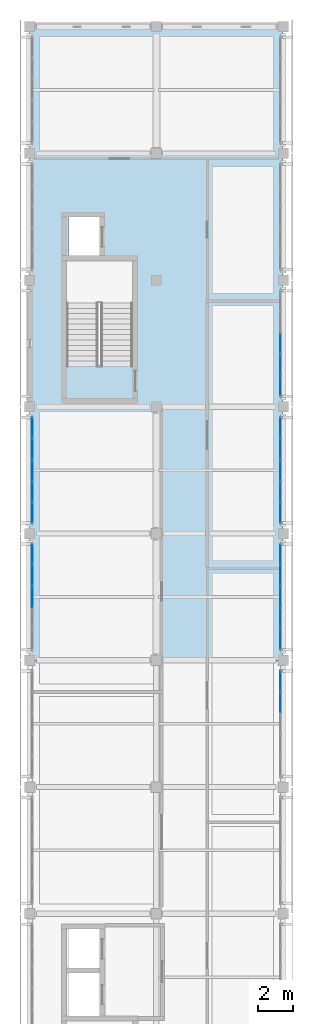
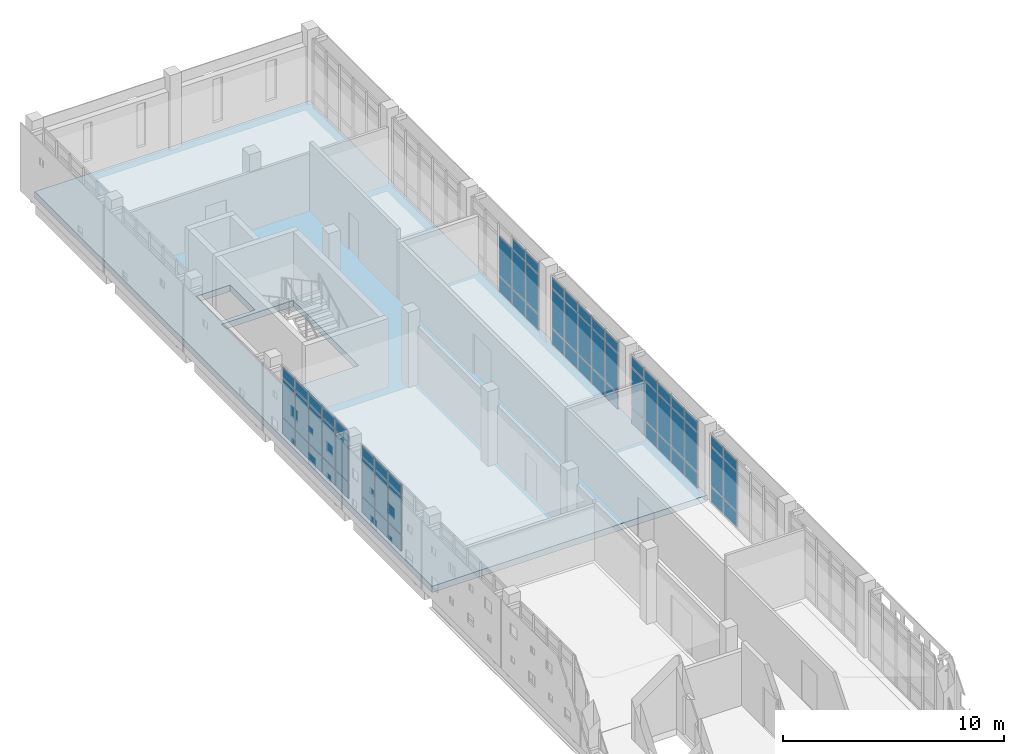
# One storey, part 13 of 21: 68 plates, 1 slab, 6 elements without a shape of their own.
"""IFC4 building model written with IfcOpenShell, lengths in metres."""

from ifc_helpers import new_model, si_unit, direction, frame, origin, origin_2d, place, context, subcontext, project, spatial, polyline, rectangle, outline, extrude, material, layer, layer_set, type_object, element, aggregate, save


model = new_model("IFC4")

# Units and contexts
model_context = context("Model", 3, precision=1e-05, world=origin(), true_north=direction((0.0, 1.0)))
body_context = subcontext(model_context, "Body", "Model", "MODEL_VIEW")
ifc_project = project(units=[si_unit("LENGTHUNIT", "METRE"), si_unit("AREAUNIT", "SQUARE_METRE"), si_unit("VOLUMEUNIT", "CUBIC_METRE"), si_unit("PLANEANGLEUNIT", "RADIAN"), si_unit("MASSUNIT", "GRAM", prefix="KILO")], contexts=[model_context])

# Site, building, storey
site_placement = place(None, origin())
site = spatial("IfcSite", under=ifc_project, at=site_placement, CompositionType="ELEMENT")
building_placement = place(site_placement, origin())
building = spatial("IfcBuilding", under=site, at=building_placement, Name="Valkovuoma Quantum and Materials Research Institute", CompositionType="ELEMENT")
storey_placement = place(building_placement, frame((0.0, 0.0, 29.760009765625)))
storey = spatial("IfcBuildingStorey", under=building, at=storey_placement, Name="L07", CompositionType="ELEMENT", Elevation=29.760009765625)

# Curtain wall, plates
ifc_material_1 = material(Name="Thermally broken aluminium and triple low-E glazing", Category="aluminium")
ifc_layer_1 = layer(ifc_material_1, 0.219970703125)
ifc_layer_set_1 = layer_set([ifc_layer_1], Name="Thermally broken aluminium and triple low-E glazing")
curtain_wall_type = type_object("IfcCurtainWallType", Name="CW-CW-01", PredefinedType="NOTDEFINED", material=ifc_layer_set_1)
curtain_wall_1_placement = place(storey_placement, origin())
curtain_wall_1 = element("IfcCurtainWall", 1, at=curtain_wall_1_placement, inside=storey, type_object=curtain_wall_type, Name="L07 curtain wall 100", PredefinedType="NOTDEFINED")
ifc_material_2 = material(Name="Triple low-E argon insulating glass", Category="glass")
ifc_layer_2 = layer(ifc_material_2, 0.035888671875)
ifc_layer_set_2 = layer_set([ifc_layer_2], Name="Triple low-E argon insulating glass")
plate_type_1 = type_object("IfcPlateType", Name="CWPanel-CWP-01", PredefinedType="CURTAIN_PANEL", material=ifc_layer_set_2)
plate_1_placement = place(storey_placement, frame((0.14990234375, 61.199951171875, 0.06494140625), z_axis=(0.0, 0.0, 1.0), x_axis=(0.0, 1.0, 0.0)))
plate_1 = element("IfcPlate", 2, at=plate_1_placement, type_object=plate_type_1, Name="CW-01 panel 3.1", PredefinedType="CURTAIN_PANEL", context=body_context, shape_type="SweptSolid", body=[
    extrude(rectangle(XDim=1.152099609375, YDim=0.035888671875, at=origin_2d()), origin(), (0.0, 0.0, 1.0), 0.8525390625),
])
plate_2_placement = place(storey_placement, frame((0.14990234375, 61.199951171875, 0.982421875), z_axis=(0.0, 0.0, 1.0), x_axis=(0.0, 1.0, 0.0)))
plate_2 = element("IfcPlate", 3, at=plate_2_placement, type_object=plate_type_1, Name="CW-01 panel 3.2", PredefinedType="CURTAIN_PANEL", context=body_context, shape_type="SweptSolid", body=[
    extrude(rectangle(XDim=1.152099609375, YDim=0.035888671875, at=origin_2d()), origin(), (0.0, 0.0, 1.0), 2.14501953125),
])
plate_3_placement = place(storey_placement, frame((0.14990234375, 61.199951171875, 3.1923828125), z_axis=(0.0, 0.0, 1.0), x_axis=(0.0, 1.0, 0.0)))
plate_3 = element("IfcPlate", 4, at=plate_3_placement, type_object=plate_type_1, Name="CW-01 panel 3.3", PredefinedType="CURTAIN_PANEL", context=body_context, shape_type="SweptSolid", body=[
    extrude(rectangle(XDim=1.152099609375, YDim=0.035888671875, at=origin_2d()), origin(), (0.0, 0.0, 1.0), 0.552490234375),
])
plate_4_placement = place(storey_placement, frame((0.14990234375, 62.417236328125, 0.06494140625), z_axis=(0.0, 0.0, 1.0), x_axis=(0.0, 1.0, 0.0)))
plate_4 = element("IfcPlate", 5, at=plate_4_placement, type_object=plate_type_1, Name="CW-01 panel 4.1", PredefinedType="CURTAIN_PANEL", context=body_context, shape_type="SweptSolid", body=[
    extrude(rectangle(XDim=1.152099609375, YDim=0.035888671875, at=origin_2d()), origin(), (0.0, 0.0, 1.0), 0.8525390625),
])
plate_5_placement = place(storey_placement, frame((0.14990234375, 62.417236328125, 0.982421875), z_axis=(0.0, 0.0, 1.0), x_axis=(0.0, 1.0, 0.0)))
plate_5 = element("IfcPlate", 6, at=plate_5_placement, type_object=plate_type_1, Name="CW-01 panel 4.2", PredefinedType="CURTAIN_PANEL", context=body_context, shape_type="SweptSolid", body=[
    extrude(rectangle(XDim=1.152099609375, YDim=0.035888671875, at=origin_2d()), origin(), (0.0, 0.0, 1.0), 2.14501953125),
])
plate_6_placement = place(storey_placement, frame((0.14990234375, 62.417236328125, 3.1923828125), z_axis=(0.0, 0.0, 1.0), x_axis=(0.0, 1.0, 0.0)))
plate_6 = element("IfcPlate", 7, at=plate_6_placement, type_object=plate_type_1, Name="CW-01 panel 4.3", PredefinedType="CURTAIN_PANEL", context=body_context, shape_type="SweptSolid", body=[
    extrude(rectangle(XDim=1.152099609375, YDim=0.035888671875, at=origin_2d()), origin(), (0.0, 0.0, 1.0), 0.552490234375),
])
plate_7_placement = place(storey_placement, frame((0.14990234375, 63.6181640625, 0.06494140625), z_axis=(0.0, 0.0, 1.0), x_axis=(0.0, 1.0, 0.0)))
plate_7 = element("IfcPlate", 8, at=plate_7_placement, type_object=plate_type_1, Name="CW-01 panel 5.1", PredefinedType="CURTAIN_PANEL", context=body_context, shape_type="SweptSolid", body=[
    extrude(rectangle(XDim=1.11962890625, YDim=0.035888671875, at=origin_2d()), origin(), (0.0, 0.0, 1.0), 0.8525390625),
])
plate_8_placement = place(storey_placement, frame((0.14990234375, 63.6181640625, 0.982421875), z_axis=(0.0, 0.0, 1.0), x_axis=(0.0, 1.0, 0.0)))
plate_8 = element("IfcPlate", 9, at=plate_8_placement, type_object=plate_type_1, Name="CW-01 panel 5.2", PredefinedType="CURTAIN_PANEL", context=body_context, shape_type="SweptSolid", body=[
    extrude(rectangle(XDim=1.11962890625, YDim=0.035888671875, at=origin_2d()), origin(), (0.0, 0.0, 1.0), 2.14501953125),
])
plate_9_placement = place(storey_placement, frame((0.14990234375, 63.6181640625, 3.1923828125), z_axis=(0.0, 0.0, 1.0), x_axis=(0.0, 1.0, 0.0)))
plate_9 = element("IfcPlate", 10, at=plate_9_placement, type_object=plate_type_1, Name="CW-01 panel 5.3", PredefinedType="CURTAIN_PANEL", context=body_context, shape_type="SweptSolid", body=[
    extrude(rectangle(XDim=1.11962890625, YDim=0.035888671875, at=origin_2d()), origin(), (0.0, 0.0, 1.0), 0.552490234375),
])
aggregate(curtain_wall_1, [plate_1, plate_2, plate_3, plate_4, plate_5, plate_6, plate_7, plate_8, plate_9])

curtain_wall_2_placement = place(storey_placement, origin())
curtain_wall_2 = element("IfcCurtainWall", 11, at=curtain_wall_2_placement, inside=storey, type_object=curtain_wall_type, Name="L07 curtain wall 102", PredefinedType="NOTDEFINED")
plate_10_placement = place(storey_placement, frame((0.14990234375, 65.98193359375, 0.06494140625), z_axis=(0.0, 0.0, 1.0), x_axis=(0.0, 1.0, 0.0)))
plate_10 = element("IfcPlate", 12, at=plate_10_placement, type_object=plate_type_1, Name="CW-01 panel 1.1", PredefinedType="CURTAIN_PANEL", context=body_context, shape_type="SweptSolid", body=[
    extrude(rectangle(XDim=1.11962890625, YDim=0.035888671875, at=origin_2d()), origin(), (0.0, 0.0, 1.0), 0.8525390625),
])
plate_11_placement = place(storey_placement, frame((0.14990234375, 65.98193359375, 0.982421875), z_axis=(0.0, 0.0, 1.0), x_axis=(0.0, 1.0, 0.0)))
plate_11 = element("IfcPlate", 13, at=plate_11_placement, type_object=plate_type_1, Name="CW-01 panel 1.2", PredefinedType="CURTAIN_PANEL", context=body_context, shape_type="SweptSolid", body=[
    extrude(rectangle(XDim=1.11962890625, YDim=0.035888671875, at=origin_2d()), origin(), (0.0, 0.0, 1.0), 2.14501953125),
])
plate_12_placement = place(storey_placement, frame((0.14990234375, 65.98193359375, 3.1923828125), z_axis=(0.0, 0.0, 1.0), x_axis=(0.0, 1.0, 0.0)))
plate_12 = element("IfcPlate", 14, at=plate_12_placement, type_object=plate_type_1, Name="CW-01 panel 1.3", PredefinedType="CURTAIN_PANEL", context=body_context, shape_type="SweptSolid", body=[
    extrude(rectangle(XDim=1.11962890625, YDim=0.035888671875, at=origin_2d()), origin(), (0.0, 0.0, 1.0), 0.552490234375),
])
plate_13_placement = place(storey_placement, frame((0.14990234375, 67.182861328125, 0.06494140625), z_axis=(0.0, 0.0, 1.0), x_axis=(0.0, 1.0, 0.0)))
plate_13 = element("IfcPlate", 15, at=plate_13_placement, type_object=plate_type_1, Name="CW-01 panel 2.1", PredefinedType="CURTAIN_PANEL", context=body_context, shape_type="SweptSolid", body=[
    extrude(rectangle(XDim=1.152099609375, YDim=0.035888671875, at=origin_2d()), origin(), (0.0, 0.0, 1.0), 0.8525390625),
])
plate_14_placement = place(storey_placement, frame((0.14990234375, 67.182861328125, 0.982421875), z_axis=(0.0, 0.0, 1.0), x_axis=(0.0, 1.0, 0.0)))
plate_14 = element("IfcPlate", 16, at=plate_14_placement, type_object=plate_type_1, Name="CW-01 panel 2.2", PredefinedType="CURTAIN_PANEL", context=body_context, shape_type="SweptSolid", body=[
    extrude(rectangle(XDim=1.152099609375, YDim=0.035888671875, at=origin_2d()), origin(), (0.0, 0.0, 1.0), 2.14501953125),
])
plate_15_placement = place(storey_placement, frame((0.14990234375, 67.182861328125, 3.1923828125), z_axis=(0.0, 0.0, 1.0), x_axis=(0.0, 1.0, 0.0)))
plate_15 = element("IfcPlate", 17, at=plate_15_placement, type_object=plate_type_1, Name="CW-01 panel 2.3", PredefinedType="CURTAIN_PANEL", context=body_context, shape_type="SweptSolid", body=[
    extrude(rectangle(XDim=1.152099609375, YDim=0.035888671875, at=origin_2d()), origin(), (0.0, 0.0, 1.0), 0.552490234375),
])
plate_16_placement = place(storey_placement, frame((0.14990234375, 68.39990234375, 0.06494140625), z_axis=(0.0, 0.0, 1.0), x_axis=(0.0, 1.0, 0.0)))
plate_16 = element("IfcPlate", 18, at=plate_16_placement, type_object=plate_type_1, Name="CW-01 panel 3.1", PredefinedType="CURTAIN_PANEL", context=body_context, shape_type="SweptSolid", body=[
    extrude(rectangle(XDim=1.152099609375, YDim=0.035888671875, at=origin_2d()), origin(), (0.0, 0.0, 1.0), 0.8525390625),
])
plate_17_placement = place(storey_placement, frame((0.14990234375, 68.39990234375, 0.982421875), z_axis=(0.0, 0.0, 1.0), x_axis=(0.0, 1.0, 0.0)))
plate_17 = element("IfcPlate", 19, at=plate_17_placement, type_object=plate_type_1, Name="CW-01 panel 3.2", PredefinedType="CURTAIN_PANEL", context=body_context, shape_type="SweptSolid", body=[
    extrude(rectangle(XDim=1.152099609375, YDim=0.035888671875, at=origin_2d()), origin(), (0.0, 0.0, 1.0), 2.14501953125),
])
plate_18_placement = place(storey_placement, frame((0.14990234375, 68.39990234375, 3.1923828125), z_axis=(0.0, 0.0, 1.0), x_axis=(0.0, 1.0, 0.0)))
plate_18 = element("IfcPlate", 20, at=plate_18_placement, type_object=plate_type_1, Name="CW-01 panel 3.3", PredefinedType="CURTAIN_PANEL", context=body_context, shape_type="SweptSolid", body=[
    extrude(rectangle(XDim=1.152099609375, YDim=0.035888671875, at=origin_2d()), origin(), (0.0, 0.0, 1.0), 0.552490234375),
])
plate_19_placement = place(storey_placement, frame((0.14990234375, 69.6171875, 0.06494140625), z_axis=(0.0, 0.0, 1.0), x_axis=(0.0, 1.0, 0.0)))
plate_19 = element("IfcPlate", 21, at=plate_19_placement, type_object=plate_type_1, Name="CW-01 panel 4.1", PredefinedType="CURTAIN_PANEL", context=body_context, shape_type="SweptSolid", body=[
    extrude(rectangle(XDim=1.152099609375, YDim=0.035888671875, at=origin_2d()), origin(), (0.0, 0.0, 1.0), 0.8525390625),
])
plate_20_placement = place(storey_placement, frame((0.14990234375, 69.6171875, 0.982421875), z_axis=(0.0, 0.0, 1.0), x_axis=(0.0, 1.0, 0.0)))
plate_20 = element("IfcPlate", 22, at=plate_20_placement, type_object=plate_type_1, Name="CW-01 panel 4.2", PredefinedType="CURTAIN_PANEL", context=body_context, shape_type="SweptSolid", body=[
    extrude(rectangle(XDim=1.152099609375, YDim=0.035888671875, at=origin_2d()), origin(), (0.0, 0.0, 1.0), 2.14501953125),
])
plate_21_placement = place(storey_placement, frame((0.14990234375, 69.6171875, 3.1923828125), z_axis=(0.0, 0.0, 1.0), x_axis=(0.0, 1.0, 0.0)))
plate_21 = element("IfcPlate", 23, at=plate_21_placement, type_object=plate_type_1, Name="CW-01 panel 4.3", PredefinedType="CURTAIN_PANEL", context=body_context, shape_type="SweptSolid", body=[
    extrude(rectangle(XDim=1.152099609375, YDim=0.035888671875, at=origin_2d()), origin(), (0.0, 0.0, 1.0), 0.552490234375),
])
plate_22_placement = place(storey_placement, frame((0.14990234375, 70.818115234375, 0.06494140625), z_axis=(0.0, 0.0, 1.0), x_axis=(0.0, 1.0, 0.0)))
plate_22 = element("IfcPlate", 24, at=plate_22_placement, type_object=plate_type_1, Name="CW-01 panel 5.1", PredefinedType="CURTAIN_PANEL", context=body_context, shape_type="SweptSolid", body=[
    extrude(rectangle(XDim=1.11962890625, YDim=0.035888671875, at=origin_2d()), origin(), (0.0, 0.0, 1.0), 0.8525390625),
])
plate_23_placement = place(storey_placement, frame((0.14990234375, 70.818115234375, 0.982421875), z_axis=(0.0, 0.0, 1.0), x_axis=(0.0, 1.0, 0.0)))
plate_23 = element("IfcPlate", 25, at=plate_23_placement, type_object=plate_type_1, Name="CW-01 panel 5.2", PredefinedType="CURTAIN_PANEL", context=body_context, shape_type="SweptSolid", body=[
    extrude(rectangle(XDim=1.11962890625, YDim=0.035888671875, at=origin_2d()), origin(), (0.0, 0.0, 1.0), 2.14501953125),
])
plate_24_placement = place(storey_placement, frame((0.14990234375, 70.818115234375, 3.1923828125), z_axis=(0.0, 0.0, 1.0), x_axis=(0.0, 1.0, 0.0)))
plate_24 = element("IfcPlate", 26, at=plate_24_placement, type_object=plate_type_1, Name="CW-01 panel 5.3", PredefinedType="CURTAIN_PANEL", context=body_context, shape_type="SweptSolid", body=[
    extrude(rectangle(XDim=1.11962890625, YDim=0.035888671875, at=origin_2d()), origin(), (0.0, 0.0, 1.0), 0.552490234375),
])
aggregate(curtain_wall_2, [plate_10, plate_11, plate_12, plate_13, plate_14, plate_15, plate_16, plate_17, plate_18, plate_19, plate_20, plate_21, plate_22, plate_23, plate_24])

curtain_wall_3_placement = place(storey_placement, origin())
curtain_wall_3 = element("IfcCurtainWall", 27, at=curtain_wall_3_placement, inside=storey, type_object=curtain_wall_type, Name="L07 curtain wall 099", PredefinedType="NOTDEFINED")
ifc_material_3 = material(Name="Triple low-E argon insulating glass", Category="glass")
ifc_layer_3 = layer(ifc_material_3, 0.0419921875)
ifc_layer_set_3 = layer_set([ifc_layer_3], Name="Triple low-E argon insulating glass")
plate_type_2 = type_object("IfcPlateType", Name="CWPanel-CWP-02", PredefinedType="CURTAIN_PANEL", material=ifc_layer_set_3)
plate_25_placement = place(storey_placement, frame((14.25, 55.217041015625, 0.06494140625), z_axis=(0.0, 0.0, 1.0), x_axis=(0.0, 1.0, 0.0)))
plate_25 = element("IfcPlate", 28, at=plate_25_placement, type_object=plate_type_2, Name="CW-01 panel 4.1", PredefinedType="CURTAIN_PANEL", context=body_context, shape_type="SweptSolid", body=[
    extrude(rectangle(XDim=1.152099609375, YDim=0.0419921875, at=origin_2d()), origin(), (0.0, 0.0, 1.0), 0.8525390625),
])
plate_26_placement = place(storey_placement, frame((14.25, 55.217041015625, 0.982421875), z_axis=(0.0, 0.0, 1.0), x_axis=(0.0, 1.0, 0.0)))
plate_26 = element("IfcPlate", 29, at=plate_26_placement, type_object=plate_type_2, Name="CW-01 panel 4.2", PredefinedType="CURTAIN_PANEL", context=body_context, shape_type="SweptSolid", body=[
    extrude(rectangle(XDim=1.152099609375, YDim=0.0419921875, at=origin_2d()), origin(), (0.0, 0.0, 1.0), 2.14501953125),
])
plate_27_placement = place(storey_placement, frame((14.25, 55.217041015625, 3.1923828125), z_axis=(0.0, 0.0, 1.0), x_axis=(0.0, 1.0, 0.0)))
plate_27 = element("IfcPlate", 30, at=plate_27_placement, type_object=plate_type_2, Name="CW-01 panel 4.3", PredefinedType="CURTAIN_PANEL", context=body_context, shape_type="SweptSolid", body=[
    extrude(rectangle(XDim=1.152099609375, YDim=0.0419921875, at=origin_2d()), origin(), (0.0, 0.0, 1.0), 0.552490234375),
])
plate_28_placement = place(storey_placement, frame((14.25, 56.41796875, 0.06494140625), z_axis=(0.0, 0.0, 1.0), x_axis=(0.0, 1.0, 0.0)))
plate_28 = element("IfcPlate", 31, at=plate_28_placement, type_object=plate_type_2, Name="CW-01 panel 5.1", PredefinedType="CURTAIN_PANEL", context=body_context, shape_type="SweptSolid", body=[
    extrude(rectangle(XDim=1.11962890625, YDim=0.0419921875, at=origin_2d()), origin(), (0.0, 0.0, 1.0), 0.8525390625),
])
plate_29_placement = place(storey_placement, frame((14.25, 56.41796875, 0.982421875), z_axis=(0.0, 0.0, 1.0), x_axis=(0.0, 1.0, 0.0)))
plate_29 = element("IfcPlate", 32, at=plate_29_placement, type_object=plate_type_2, Name="CW-01 panel 5.2", PredefinedType="CURTAIN_PANEL", context=body_context, shape_type="SweptSolid", body=[
    extrude(rectangle(XDim=1.11962890625, YDim=0.0419921875, at=origin_2d()), origin(), (0.0, 0.0, 1.0), 2.14501953125),
])
plate_30_placement = place(storey_placement, frame((14.25, 56.41796875, 3.1923828125), z_axis=(0.0, 0.0, 1.0), x_axis=(0.0, 1.0, 0.0)))
plate_30 = element("IfcPlate", 33, at=plate_30_placement, type_object=plate_type_2, Name="CW-01 panel 5.3", PredefinedType="CURTAIN_PANEL", context=body_context, shape_type="SweptSolid", body=[
    extrude(rectangle(XDim=1.11962890625, YDim=0.0419921875, at=origin_2d()), origin(), (0.0, 0.0, 1.0), 0.552490234375),
])
aggregate(curtain_wall_3, [plate_25, plate_26, plate_27, plate_28, plate_29, plate_30])

curtain_wall_4_placement = place(storey_placement, origin())
curtain_wall_4 = element("IfcCurtainWall", 34, at=curtain_wall_4_placement, inside=storey, type_object=curtain_wall_type, Name="L07 curtain wall 101", PredefinedType="NOTDEFINED")
plate_31_placement = place(storey_placement, frame((14.25, 58.781982421875, 0.06494140625), z_axis=(0.0, 0.0, 1.0), x_axis=(0.0, 1.0, 0.0)))
plate_31 = element("IfcPlate", 35, at=plate_31_placement, type_object=plate_type_2, Name="CW-01 panel 1.1", PredefinedType="CURTAIN_PANEL", context=body_context, shape_type="SweptSolid", body=[
    extrude(rectangle(XDim=1.11962890625, YDim=0.0419921875, at=origin_2d()), origin(), (0.0, 0.0, 1.0), 0.8525390625),
])
plate_32_placement = place(storey_placement, frame((14.25, 58.781982421875, 0.982421875), z_axis=(0.0, 0.0, 1.0), x_axis=(0.0, 1.0, 0.0)))
plate_32 = element("IfcPlate", 36, at=plate_32_placement, type_object=plate_type_2, Name="CW-01 panel 1.2", PredefinedType="CURTAIN_PANEL", context=body_context, shape_type="SweptSolid", body=[
    extrude(rectangle(XDim=1.11962890625, YDim=0.0419921875, at=origin_2d()), origin(), (0.0, 0.0, 1.0), 2.14501953125),
])
plate_33_placement = place(storey_placement, frame((14.25, 58.781982421875, 3.1923828125), z_axis=(0.0, 0.0, 1.0), x_axis=(0.0, 1.0, 0.0)))
plate_33 = element("IfcPlate", 37, at=plate_33_placement, type_object=plate_type_2, Name="CW-01 panel 1.3", PredefinedType="CURTAIN_PANEL", context=body_context, shape_type="SweptSolid", body=[
    extrude(rectangle(XDim=1.11962890625, YDim=0.0419921875, at=origin_2d()), origin(), (0.0, 0.0, 1.0), 0.552490234375),
])
plate_34_placement = place(storey_placement, frame((14.25, 59.98291015625, 0.06494140625), z_axis=(0.0, 0.0, 1.0), x_axis=(0.0, 1.0, 0.0)))
plate_34 = element("IfcPlate", 38, at=plate_34_placement, type_object=plate_type_2, Name="CW-01 panel 2.1", PredefinedType="CURTAIN_PANEL", context=body_context, shape_type="SweptSolid", body=[
    extrude(rectangle(XDim=1.152099609375, YDim=0.0419921875, at=origin_2d()), origin(), (0.0, 0.0, 1.0), 0.8525390625),
])
plate_35_placement = place(storey_placement, frame((14.25, 59.98291015625, 0.982421875), z_axis=(0.0, 0.0, 1.0), x_axis=(0.0, 1.0, 0.0)))
plate_35 = element("IfcPlate", 39, at=plate_35_placement, type_object=plate_type_2, Name="CW-01 panel 2.2", PredefinedType="CURTAIN_PANEL", context=body_context, shape_type="SweptSolid", body=[
    extrude(rectangle(XDim=1.152099609375, YDim=0.0419921875, at=origin_2d()), origin(), (0.0, 0.0, 1.0), 2.14501953125),
])
plate_36_placement = place(storey_placement, frame((14.25, 59.98291015625, 3.1923828125), z_axis=(0.0, 0.0, 1.0), x_axis=(0.0, 1.0, 0.0)))
plate_36 = element("IfcPlate", 40, at=plate_36_placement, type_object=plate_type_2, Name="CW-01 panel 2.3", PredefinedType="CURTAIN_PANEL", context=body_context, shape_type="SweptSolid", body=[
    extrude(rectangle(XDim=1.152099609375, YDim=0.0419921875, at=origin_2d()), origin(), (0.0, 0.0, 1.0), 0.552490234375),
])
plate_37_placement = place(storey_placement, frame((14.25, 61.199951171875, 0.06494140625), z_axis=(0.0, 0.0, 1.0), x_axis=(0.0, 1.0, 0.0)))
plate_37 = element("IfcPlate", 41, at=plate_37_placement, type_object=plate_type_2, Name="CW-01 panel 3.1", PredefinedType="CURTAIN_PANEL", context=body_context, shape_type="SweptSolid", body=[
    extrude(rectangle(XDim=1.152099609375, YDim=0.0419921875, at=origin_2d()), origin(), (0.0, 0.0, 1.0), 0.8525390625),
])
plate_38_placement = place(storey_placement, frame((14.25, 61.199951171875, 0.982421875), z_axis=(0.0, 0.0, 1.0), x_axis=(0.0, 1.0, 0.0)))
plate_38 = element("IfcPlate", 42, at=plate_38_placement, type_object=plate_type_2, Name="CW-01 panel 3.2", PredefinedType="CURTAIN_PANEL", context=body_context, shape_type="SweptSolid", body=[
    extrude(rectangle(XDim=1.152099609375, YDim=0.0419921875, at=origin_2d()), origin(), (0.0, 0.0, 1.0), 2.14501953125),
])
plate_39_placement = place(storey_placement, frame((14.25, 61.199951171875, 3.1923828125), z_axis=(0.0, 0.0, 1.0), x_axis=(0.0, 1.0, 0.0)))
plate_39 = element("IfcPlate", 43, at=plate_39_placement, type_object=plate_type_2, Name="CW-01 panel 3.3", PredefinedType="CURTAIN_PANEL", context=body_context, shape_type="SweptSolid", body=[
    extrude(rectangle(XDim=1.152099609375, YDim=0.0419921875, at=origin_2d()), origin(), (0.0, 0.0, 1.0), 0.552490234375),
])
plate_40_placement = place(storey_placement, frame((14.25, 62.417236328125, 0.06494140625), z_axis=(0.0, 0.0, 1.0), x_axis=(0.0, 1.0, 0.0)))
plate_40 = element("IfcPlate", 44, at=plate_40_placement, type_object=plate_type_2, Name="CW-01 panel 4.1", PredefinedType="CURTAIN_PANEL", context=body_context, shape_type="SweptSolid", body=[
    extrude(rectangle(XDim=1.152099609375, YDim=0.0419921875, at=origin_2d()), origin(), (0.0, 0.0, 1.0), 0.8525390625),
])
plate_41_placement = place(storey_placement, frame((14.25, 62.417236328125, 0.982421875), z_axis=(0.0, 0.0, 1.0), x_axis=(0.0, 1.0, 0.0)))
plate_41 = element("IfcPlate", 45, at=plate_41_placement, type_object=plate_type_2, Name="CW-01 panel 4.2", PredefinedType="CURTAIN_PANEL", context=body_context, shape_type="SweptSolid", body=[
    extrude(rectangle(XDim=1.152099609375, YDim=0.0419921875, at=origin_2d()), origin(), (0.0, 0.0, 1.0), 2.14501953125),
])
plate_42_placement = place(storey_placement, frame((14.25, 62.417236328125, 3.1923828125), z_axis=(0.0, 0.0, 1.0), x_axis=(0.0, 1.0, 0.0)))
plate_42 = element("IfcPlate", 46, at=plate_42_placement, type_object=plate_type_2, Name="CW-01 panel 4.3", PredefinedType="CURTAIN_PANEL", context=body_context, shape_type="SweptSolid", body=[
    extrude(rectangle(XDim=1.152099609375, YDim=0.0419921875, at=origin_2d()), origin(), (0.0, 0.0, 1.0), 0.552490234375),
])
plate_43_placement = place(storey_placement, frame((14.25, 63.6181640625, 0.06494140625), z_axis=(0.0, 0.0, 1.0), x_axis=(0.0, 1.0, 0.0)))
plate_43 = element("IfcPlate", 47, at=plate_43_placement, type_object=plate_type_2, Name="CW-01 panel 5.1", PredefinedType="CURTAIN_PANEL", context=body_context, shape_type="SweptSolid", body=[
    extrude(rectangle(XDim=1.11962890625, YDim=0.0419921875, at=origin_2d()), origin(), (0.0, 0.0, 1.0), 0.8525390625),
])
plate_44_placement = place(storey_placement, frame((14.25, 63.6181640625, 0.982421875), z_axis=(0.0, 0.0, 1.0), x_axis=(0.0, 1.0, 0.0)))
plate_44 = element("IfcPlate", 48, at=plate_44_placement, type_object=plate_type_2, Name="CW-01 panel 5.2", PredefinedType="CURTAIN_PANEL", context=body_context, shape_type="SweptSolid", body=[
    extrude(rectangle(XDim=1.11962890625, YDim=0.0419921875, at=origin_2d()), origin(), (0.0, 0.0, 1.0), 2.14501953125),
])
plate_45_placement = place(storey_placement, frame((14.25, 63.6181640625, 3.1923828125), z_axis=(0.0, 0.0, 1.0), x_axis=(0.0, 1.0, 0.0)))
plate_45 = element("IfcPlate", 49, at=plate_45_placement, type_object=plate_type_2, Name="CW-01 panel 5.3", PredefinedType="CURTAIN_PANEL", context=body_context, shape_type="SweptSolid", body=[
    extrude(rectangle(XDim=1.11962890625, YDim=0.0419921875, at=origin_2d()), origin(), (0.0, 0.0, 1.0), 0.552490234375),
])
aggregate(curtain_wall_4, [plate_31, plate_32, plate_33, plate_34, plate_35, plate_36, plate_37, plate_38, plate_39, plate_40, plate_41, plate_42, plate_43, plate_44, plate_45])

curtain_wall_5_placement = place(storey_placement, origin())
curtain_wall_5 = element("IfcCurtainWall", 50, at=curtain_wall_5_placement, inside=storey, type_object=curtain_wall_type, Name="L07 curtain wall 103", PredefinedType="NOTDEFINED")
plate_46_placement = place(storey_placement, frame((14.25, 65.98193359375, 0.06494140625), z_axis=(0.0, 0.0, 1.0), x_axis=(0.0, 1.0, 0.0)))
plate_46 = element("IfcPlate", 51, at=plate_46_placement, type_object=plate_type_2, Name="CW-01 panel 1.1", PredefinedType="CURTAIN_PANEL", context=body_context, shape_type="SweptSolid", body=[
    extrude(rectangle(XDim=1.11962890625, YDim=0.0419921875, at=origin_2d()), origin(), (0.0, 0.0, 1.0), 0.8525390625),
])
plate_47_placement = place(storey_placement, frame((14.25, 65.98193359375, 0.982421875), z_axis=(0.0, 0.0, 1.0), x_axis=(0.0, 1.0, 0.0)))
plate_47 = element("IfcPlate", 52, at=plate_47_placement, type_object=plate_type_2, Name="CW-01 panel 1.2", PredefinedType="CURTAIN_PANEL", context=body_context, shape_type="SweptSolid", body=[
    extrude(rectangle(XDim=1.11962890625, YDim=0.0419921875, at=origin_2d()), origin(), (0.0, 0.0, 1.0), 2.14501953125),
])
plate_48_placement = place(storey_placement, frame((14.25, 65.98193359375, 3.1923828125), z_axis=(0.0, 0.0, 1.0), x_axis=(0.0, 1.0, 0.0)))
plate_48 = element("IfcPlate", 53, at=plate_48_placement, type_object=plate_type_2, Name="CW-01 panel 1.3", PredefinedType="CURTAIN_PANEL", context=body_context, shape_type="SweptSolid", body=[
    extrude(rectangle(XDim=1.11962890625, YDim=0.0419921875, at=origin_2d()), origin(), (0.0, 0.0, 1.0), 0.552490234375),
])
plate_49_placement = place(storey_placement, frame((14.25, 67.182861328125, 0.06494140625), z_axis=(0.0, 0.0, 1.0), x_axis=(0.0, 1.0, 0.0)))
plate_49 = element("IfcPlate", 54, at=plate_49_placement, type_object=plate_type_2, Name="CW-01 panel 2.1", PredefinedType="CURTAIN_PANEL", context=body_context, shape_type="SweptSolid", body=[
    extrude(rectangle(XDim=1.152099609375, YDim=0.0419921875, at=origin_2d()), origin(), (0.0, 0.0, 1.0), 0.8525390625),
])
plate_50_placement = place(storey_placement, frame((14.25, 67.182861328125, 0.982421875), z_axis=(0.0, 0.0, 1.0), x_axis=(0.0, 1.0, 0.0)))
plate_50 = element("IfcPlate", 55, at=plate_50_placement, type_object=plate_type_2, Name="CW-01 panel 2.2", PredefinedType="CURTAIN_PANEL", context=body_context, shape_type="SweptSolid", body=[
    extrude(rectangle(XDim=1.152099609375, YDim=0.0419921875, at=origin_2d()), origin(), (0.0, 0.0, 1.0), 2.14501953125),
])
plate_51_placement = place(storey_placement, frame((14.25, 67.182861328125, 3.1923828125), z_axis=(0.0, 0.0, 1.0), x_axis=(0.0, 1.0, 0.0)))
plate_51 = element("IfcPlate", 56, at=plate_51_placement, type_object=plate_type_2, Name="CW-01 panel 2.3", PredefinedType="CURTAIN_PANEL", context=body_context, shape_type="SweptSolid", body=[
    extrude(rectangle(XDim=1.152099609375, YDim=0.0419921875, at=origin_2d()), origin(), (0.0, 0.0, 1.0), 0.552490234375),
])
plate_52_placement = place(storey_placement, frame((14.25, 68.39990234375, 0.06494140625), z_axis=(0.0, 0.0, 1.0), x_axis=(0.0, 1.0, 0.0)))
plate_52 = element("IfcPlate", 57, at=plate_52_placement, type_object=plate_type_2, Name="CW-01 panel 3.1", PredefinedType="CURTAIN_PANEL", context=body_context, shape_type="SweptSolid", body=[
    extrude(rectangle(XDim=1.152099609375, YDim=0.0419921875, at=origin_2d()), origin(), (0.0, 0.0, 1.0), 0.8525390625),
])
plate_53_placement = place(storey_placement, frame((14.25, 68.39990234375, 0.982421875), z_axis=(0.0, 0.0, 1.0), x_axis=(0.0, 1.0, 0.0)))
plate_53 = element("IfcPlate", 58, at=plate_53_placement, type_object=plate_type_2, Name="CW-01 panel 3.2", PredefinedType="CURTAIN_PANEL", context=body_context, shape_type="SweptSolid", body=[
    extrude(rectangle(XDim=1.152099609375, YDim=0.0419921875, at=origin_2d()), origin(), (0.0, 0.0, 1.0), 2.14501953125),
])
plate_54_placement = place(storey_placement, frame((14.25, 68.39990234375, 3.1923828125), z_axis=(0.0, 0.0, 1.0), x_axis=(0.0, 1.0, 0.0)))
plate_54 = element("IfcPlate", 59, at=plate_54_placement, type_object=plate_type_2, Name="CW-01 panel 3.3", PredefinedType="CURTAIN_PANEL", context=body_context, shape_type="SweptSolid", body=[
    extrude(rectangle(XDim=1.152099609375, YDim=0.0419921875, at=origin_2d()), origin(), (0.0, 0.0, 1.0), 0.552490234375),
])
plate_55_placement = place(storey_placement, frame((14.25, 69.6171875, 0.06494140625), z_axis=(0.0, 0.0, 1.0), x_axis=(0.0, 1.0, 0.0)))
plate_55 = element("IfcPlate", 60, at=plate_55_placement, type_object=plate_type_2, Name="CW-01 panel 4.1", PredefinedType="CURTAIN_PANEL", context=body_context, shape_type="SweptSolid", body=[
    extrude(rectangle(XDim=1.152099609375, YDim=0.0419921875, at=origin_2d()), origin(), (0.0, 0.0, 1.0), 0.8525390625),
])
plate_56_placement = place(storey_placement, frame((14.25, 69.6171875, 0.982421875), z_axis=(0.0, 0.0, 1.0), x_axis=(0.0, 1.0, 0.0)))
plate_56 = element("IfcPlate", 61, at=plate_56_placement, type_object=plate_type_2, Name="CW-01 panel 4.2", PredefinedType="CURTAIN_PANEL", context=body_context, shape_type="SweptSolid", body=[
    extrude(rectangle(XDim=1.152099609375, YDim=0.0419921875, at=origin_2d()), origin(), (0.0, 0.0, 1.0), 2.14501953125),
])
plate_57_placement = place(storey_placement, frame((14.25, 69.6171875, 3.1923828125), z_axis=(0.0, 0.0, 1.0), x_axis=(0.0, 1.0, 0.0)))
plate_57 = element("IfcPlate", 62, at=plate_57_placement, type_object=plate_type_2, Name="CW-01 panel 4.3", PredefinedType="CURTAIN_PANEL", context=body_context, shape_type="SweptSolid", body=[
    extrude(rectangle(XDim=1.152099609375, YDim=0.0419921875, at=origin_2d()), origin(), (0.0, 0.0, 1.0), 0.552490234375),
])
plate_58_placement = place(storey_placement, frame((14.25, 70.818115234375, 0.06494140625), z_axis=(0.0, 0.0, 1.0), x_axis=(0.0, 1.0, 0.0)))
plate_58 = element("IfcPlate", 63, at=plate_58_placement, type_object=plate_type_2, Name="CW-01 panel 5.1", PredefinedType="CURTAIN_PANEL", context=body_context, shape_type="SweptSolid", body=[
    extrude(rectangle(XDim=1.11962890625, YDim=0.0419921875, at=origin_2d()), origin(), (0.0, 0.0, 1.0), 0.8525390625),
])
plate_59_placement = place(storey_placement, frame((14.25, 70.818115234375, 0.982421875), z_axis=(0.0, 0.0, 1.0), x_axis=(0.0, 1.0, 0.0)))
plate_59 = element("IfcPlate", 64, at=plate_59_placement, type_object=plate_type_2, Name="CW-01 panel 5.2", PredefinedType="CURTAIN_PANEL", context=body_context, shape_type="SweptSolid", body=[
    extrude(rectangle(XDim=1.11962890625, YDim=0.0419921875, at=origin_2d()), origin(), (0.0, 0.0, 1.0), 2.14501953125),
])
plate_60_placement = place(storey_placement, frame((14.25, 70.818115234375, 3.1923828125), z_axis=(0.0, 0.0, 1.0), x_axis=(0.0, 1.0, 0.0)))
plate_60 = element("IfcPlate", 65, at=plate_60_placement, type_object=plate_type_2, Name="CW-01 panel 5.3", PredefinedType="CURTAIN_PANEL", context=body_context, shape_type="SweptSolid", body=[
    extrude(rectangle(XDim=1.11962890625, YDim=0.0419921875, at=origin_2d()), origin(), (0.0, 0.0, 1.0), 0.552490234375),
])
aggregate(curtain_wall_5, [plate_46, plate_47, plate_48, plate_49, plate_50, plate_51, plate_52, plate_53, plate_54, plate_55, plate_56, plate_57, plate_58, plate_59, plate_60])

curtain_wall_6_placement = place(storey_placement, origin())
curtain_wall_6 = element("IfcCurtainWall", 66, at=curtain_wall_6_placement, inside=storey, type_object=curtain_wall_type, Name="L07 curtain wall 104", PredefinedType="NOTDEFINED")
plate_61_placement = place(storey_placement, frame((14.25, 73.181884765625, 0.06494140625), z_axis=(0.0, 0.0, 1.0), x_axis=(0.0, 1.0, 0.0)))
plate_61 = element("IfcPlate", 67, at=plate_61_placement, type_object=plate_type_2, Name="CW-01 panel 1.1", PredefinedType="CURTAIN_PANEL", context=body_context, shape_type="SweptSolid", body=[
    extrude(rectangle(XDim=1.11962890625, YDim=0.0419921875, at=origin_2d()), origin(), (0.0, 0.0, 1.0), 0.8525390625),
])
plate_62_placement = place(storey_placement, frame((14.25, 73.181884765625, 0.982421875), z_axis=(0.0, 0.0, 1.0), x_axis=(0.0, 1.0, 0.0)))
plate_62 = element("IfcPlate", 68, at=plate_62_placement, type_object=plate_type_2, Name="CW-01 panel 1.2", PredefinedType="CURTAIN_PANEL", context=body_context, shape_type="SweptSolid", body=[
    extrude(rectangle(XDim=1.11962890625, YDim=0.0419921875, at=origin_2d()), origin(), (0.0, 0.0, 1.0), 2.14501953125),
])
plate_63_placement = place(storey_placement, frame((14.25, 73.181884765625, 3.1923828125), z_axis=(0.0, 0.0, 1.0), x_axis=(0.0, 1.0, 0.0)))
plate_63 = element("IfcPlate", 69, at=plate_63_placement, type_object=plate_type_2, Name="CW-01 panel 1.3", PredefinedType="CURTAIN_PANEL", context=body_context, shape_type="SweptSolid", body=[
    extrude(rectangle(XDim=1.11962890625, YDim=0.0419921875, at=origin_2d()), origin(), (0.0, 0.0, 1.0), 0.552490234375),
])
plate_64_placement = place(storey_placement, frame((14.25, 74.3828125, 0.06494140625), z_axis=(0.0, 0.0, 1.0), x_axis=(0.0, 1.0, 0.0)))
plate_64 = element("IfcPlate", 70, at=plate_64_placement, type_object=plate_type_2, Name="CW-01 panel 2.1", PredefinedType="CURTAIN_PANEL", context=body_context, shape_type="SweptSolid", body=[
    extrude(rectangle(XDim=1.152099609375, YDim=0.0419921875, at=origin_2d()), origin(), (0.0, 0.0, 1.0), 0.8525390625),
])
plate_65_placement = place(storey_placement, frame((14.25, 74.3828125, 0.982421875), z_axis=(0.0, 0.0, 1.0), x_axis=(0.0, 1.0, 0.0)))
plate_65 = element("IfcPlate", 71, at=plate_65_placement, type_object=plate_type_2, Name="CW-01 panel 2.2", PredefinedType="CURTAIN_PANEL", context=body_context, shape_type="SweptSolid", body=[
    extrude(rectangle(XDim=1.152099609375, YDim=0.0419921875, at=origin_2d()), origin(), (0.0, 0.0, 1.0), 2.14501953125),
])
plate_66_placement = place(storey_placement, frame((14.25, 74.3828125, 3.1923828125), z_axis=(0.0, 0.0, 1.0), x_axis=(0.0, 1.0, 0.0)))
plate_66 = element("IfcPlate", 72, at=plate_66_placement, type_object=plate_type_2, Name="CW-01 panel 2.3", PredefinedType="CURTAIN_PANEL", context=body_context, shape_type="SweptSolid", body=[
    extrude(rectangle(XDim=1.152099609375, YDim=0.0419921875, at=origin_2d()), origin(), (0.0, 0.0, 1.0), 0.552490234375),
])
plate_67_placement = place(storey_placement, frame((14.25, 75.60009765625, 0.06494140625), z_axis=(0.0, 0.0, 1.0), x_axis=(0.0, 1.0, 0.0)))
plate_67 = element("IfcPlate", 73, at=plate_67_placement, type_object=plate_type_2, Name="CW-01 panel 3.1", PredefinedType="CURTAIN_PANEL", context=body_context, shape_type="SweptSolid", body=[
    extrude(rectangle(XDim=1.152099609375, YDim=0.0419921875, at=origin_2d()), origin(), (0.0, 0.0, 1.0), 0.8525390625),
])
plate_68_placement = place(storey_placement, frame((14.25, 75.60009765625, 0.982421875), z_axis=(0.0, 0.0, 1.0), x_axis=(0.0, 1.0, 0.0)))
plate_68 = element("IfcPlate", 74, at=plate_68_placement, type_object=plate_type_2, Name="CW-01 panel 3.2", PredefinedType="CURTAIN_PANEL", context=body_context, shape_type="SweptSolid", body=[
    extrude(rectangle(XDim=1.152099609375, YDim=0.0419921875, at=origin_2d()), origin(), (0.0, 0.0, 1.0), 2.14501953125),
])
aggregate(curtain_wall_6, [plate_61, plate_62, plate_63, plate_64, plate_65, plate_66, plate_67, plate_68])

# Slab
ifc_material_4 = material(Name="Concrete C40/50", Category="concrete")
ifc_layer_4 = layer(ifc_material_4, 0.35009765625)
ifc_layer_set_4 = layer_set([ifc_layer_4], Name="Concrete C40/50")
slab_type = type_object("IfcSlabType", Name="Slab-SL-FL350", PredefinedType="FLOOR", material=ifc_layer_set_4)
slab_placement = place(storey_placement, frame((0.0, 0.0, -0.35009765625)))
element("IfcSlab", 75, at=slab_placement, inside=storey, type_object=slab_type, Name="L07 vol5_drylab structural slab 2", PredefinedType="FLOOR", context=body_context, shape_type="SweptSolid", body=[
    extrude(outline(polyline([(0.0, 57.60009765625), (14.39990234375, 57.60009765625), (14.39990234375, 93.60009765625), (0.0, 93.60009765625), (0.0, 57.60009765625)]), holes=[polyline([(2.10009765625, 74.360107421875), (5.85009765625, 74.360107421875), (5.85009765625, 80.300048828125), (2.10009765625, 80.300048828125), (2.10009765625, 74.360107421875)]), polyline([(2.219970703125, 80.52001953125), (3.97998046875, 80.52001953125), (3.97998046875, 82.780029296875), (2.219970703125, 82.780029296875), (2.219970703125, 80.52001953125)])]), origin(), (0.0, 0.0, 1.0), 0.35009765625),
])

save(model, "model.ifc")
